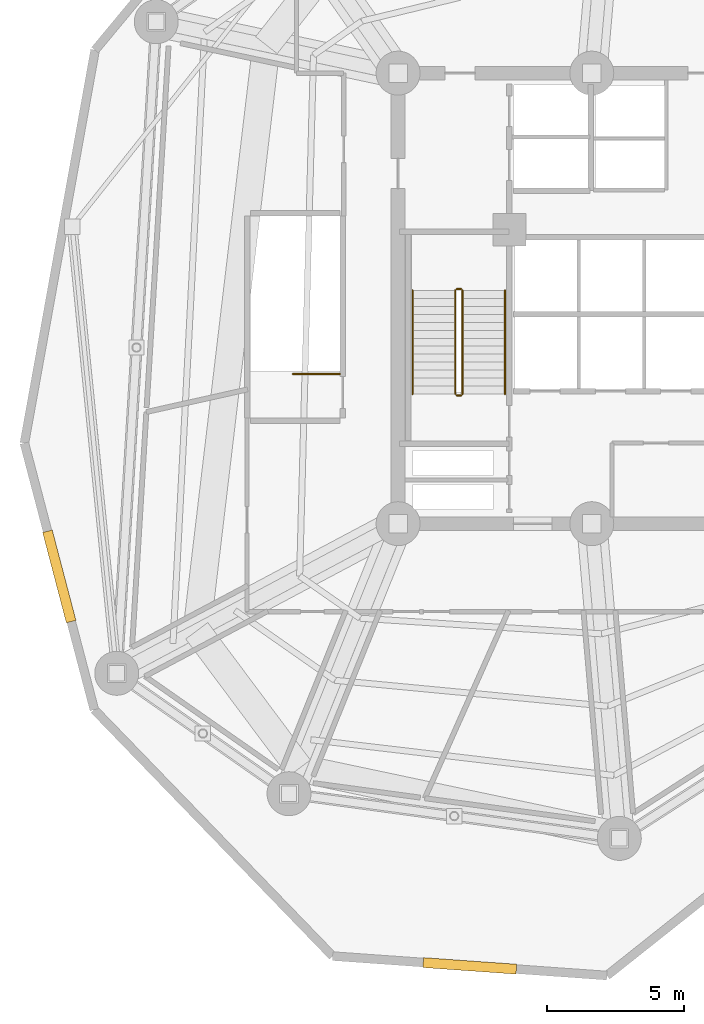
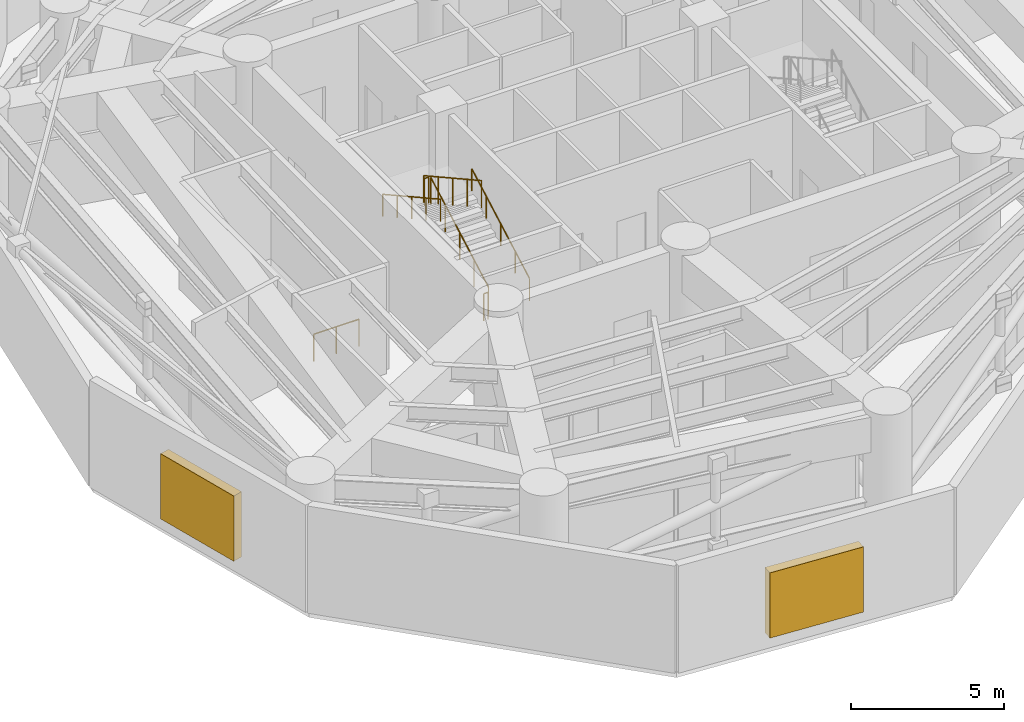
# One storey, part 11 of 13: 7 railings, 2 shading devices.
"""IFC4 building model written with IfcOpenShell, lengths in metres."""

from ifc_helpers import new_model, si_unit, direction, frame, origin, origin_with_axes, origin_2d, place, context, subcontext, project, spatial, rectangle, circle, extrude, source, transform, mapped, material, layer, layer_set, type_object, element, save


model = new_model("IFC4")

# Units and contexts
model_context = context("Model", 3, precision=1e-05, world=origin(), true_north=direction((0.0, 1.0)))
body_context = subcontext(model_context, "Body", "Model", "MODEL_VIEW")
ifc_project = project(units=[si_unit("LENGTHUNIT", "METRE"), si_unit("AREAUNIT", "SQUARE_METRE"), si_unit("VOLUMEUNIT", "CUBIC_METRE"), si_unit("PLANEANGLEUNIT", "RADIAN"), si_unit("MASSUNIT", "GRAM", prefix="KILO")], contexts=[model_context])

# Site, building, storey
site_placement = place(None, origin())
site = spatial("IfcSite", under=ifc_project, at=site_placement, CompositionType="ELEMENT")
building_placement = place(site_placement, origin())
building = spatial("IfcBuilding", under=site, at=building_placement, Name="Karkom Vertical University and Central Library", CompositionType="ELEMENT")
storey_placement = place(building_placement, frame((0.0, 0.0, 87.699951171875)))
storey = spatial("IfcBuildingStorey", under=building, at=storey_placement, Name="P23", CompositionType="ELEMENT", Elevation=87.699951171875)

# Railings
ifc_material_1 = material(Name="Painted galvanised steel balustrade", Category="steel")
ifc_layer_1 = layer(ifc_material_1, 0.06005859375)
ifc_layer_set_1 = layer_set([ifc_layer_1], Name="Painted galvanised steel balustrade")
railing_type_1 = type_object("IfcRailingType", Name="INT-RL-GUARD1100", PredefinedType="GUARDRAIL", material=ifc_layer_set_1)
railing_1_placement = place(storey_placement, frame((21.840087890625, 23.02001953125, 0.16064453125)))
element("IfcRailing", 1, at=railing_1_placement, inside=storey, type_object=railing_type_1, Name="Plant Level 23 ST-1 stair guard 1", PredefinedType="GUARDRAIL", context=body_context, shape_type="SweptSolid", body=[
    extrude(circle(Radius=0.02392578125, at=origin_2d()), frame((0.0, 0.0, 1.076171875), z_axis=(0.0, 0.874659101714, 0.484738543742), x_axis=(-1.0, 0.0, 0.0)), (0.0, 0.0, 1.0), 4.310302734375),
    extrude(circle(Radius=0.02099609375, at=origin_2d()), origin(), (0.0, 0.0, 1.0), 1.052001953125),
    extrude(circle(Radius=0.02099609375, at=origin_2d()), frame((0.0, 0.9423828125, 0.5224609375)), (0.0, 0.0, 1.0), 1.052001953125),
    extrude(circle(Radius=0.02099609375, at=origin_2d()), frame((0.0, 1.885009765625, 1.044677734375)), (0.0, 0.0, 1.0), 1.052001953125),
    extrude(circle(Radius=0.02099609375, at=origin_2d()), frame((0.0, 2.82763671875, 1.56689453125)), (0.0, 0.0, 1.0), 1.052001953125),
    extrude(circle(Radius=0.02099609375, at=origin_2d()), frame((0.0, 3.77001953125, 2.08935546875)), (0.0, 0.0, 1.0), 1.052001953125),
])
railing_2_placement = place(storey_placement, frame((21.7900390625, 26.840087890625, 2.25)))
element("IfcRailing", 2, at=railing_2_placement, inside=storey, type_object=railing_type_1, Name="Plant Level 23 ST-1 stair guard 2", PredefinedType="GUARDRAIL", context=body_context, shape_type="SweptSolid", body=[
    extrude(circle(Radius=0.02392578125, at=origin_2d()), frame((0.0, 0.0, 1.076171875), z_axis=(-1.0, 0.0, 0.0), x_axis=(0.0, -1.0, 0.0)), (0.0, 0.0, 1.0), 0.16015625),
    extrude(circle(Radius=0.02099609375, at=origin_2d()), origin(), (0.0, 0.0, 1.0), 1.052001953125),
    extrude(circle(Radius=0.02099609375, at=origin_2d()), frame((-0.16015625, 0.0, 0.0)), (0.0, 0.0, 1.0), 1.052001953125),
])
railing_3_placement = place(storey_placement, frame((21.580078125, 26.7900390625, 2.41064453125)))
element("IfcRailing", 3, at=railing_3_placement, inside=storey, type_object=railing_type_1, Name="Plant Level 23 ST-1 stair guard 3", PredefinedType="GUARDRAIL", context=body_context, shape_type="SweptSolid", body=[
    extrude(circle(Radius=0.02392578125, at=origin_2d()), frame((0.0, 0.0, 1.076171875), z_axis=(0.0, -0.874659101714, 0.484738543742), x_axis=(1.0, 0.0, 0.0)), (0.0, 0.0, 1.0), 4.310302734375),
    extrude(circle(Radius=0.02099609375, at=origin_2d()), origin(), (0.0, 0.0, 1.0), 1.052001953125),
    extrude(circle(Radius=0.02099609375, at=origin_2d()), frame((0.0, -0.9423828125, 0.5224609375)), (0.0, 0.0, 1.0), 1.052001953125),
    extrude(circle(Radius=0.02099609375, at=origin_2d()), frame((0.0, -1.885009765625, 1.044677734375)), (0.0, 0.0, 1.0), 1.052001953125),
    extrude(circle(Radius=0.02099609375, at=origin_2d()), frame((0.0, -2.82763671875, 1.56689453125)), (0.0, 0.0, 1.0), 1.052001953125),
    extrude(circle(Radius=0.02099609375, at=origin_2d()), frame((0.0, -3.77001953125, 2.08935546875)), (0.0, 0.0, 1.0), 1.052001953125),
])
railing_4_placement = place(storey_placement, frame((21.7900390625, 22.969970703125, 0.0)))
element("IfcRailing", 4, at=railing_4_placement, inside=storey, type_object=railing_type_1, Name="Plant Level 23 ST-1 stair guard 4", PredefinedType="GUARDRAIL", context=body_context, shape_type="SweptSolid", body=[
    extrude(circle(Radius=0.02392578125, at=origin_2d()), frame((0.0, 0.0, 1.076171875), z_axis=(-1.0, 0.0, 0.0), x_axis=(0.0, -1.0, 0.0)), (0.0, 0.0, 1.0), 0.16015625),
    extrude(circle(Radius=0.02099609375, at=origin_2d()), origin(), (0.0, 0.0, 1.0), 1.052001953125),
    extrude(circle(Radius=0.02099609375, at=origin_2d()), frame((-0.16015625, 0.0, 0.0)), (0.0, 0.0, 1.0), 1.052001953125),
])
railing_5_placement = place(storey_placement, frame((17.3798828125, 23.75, 0.0)))
element("IfcRailing", 5, at=railing_5_placement, inside=storey, type_object=railing_type_1, Name="Plant Level 23 ST-3 top well guard 1", PredefinedType="GUARDRAIL", context=body_context, shape_type="SweptSolid", body=[
    extrude(circle(Radius=0.02392578125, at=origin_2d()), frame((0.0, 0.0, 1.076171875), z_axis=(-1.0, 0.0, 0.0), x_axis=(0.0, -1.0, 0.0)), (0.0, 0.0, 1.0), 1.7099609375),
    extrude(circle(Radius=0.02099609375, at=origin_2d()), origin(), (0.0, 0.0, 1.0), 1.052001953125),
    extrude(circle(Radius=0.02099609375, at=origin_2d()), frame((-0.85498046875, 0.0, 0.0)), (0.0, 0.0, 1.0), 1.052001953125),
    extrude(circle(Radius=0.02099609375, at=origin_2d()), frame((-1.7099609375, 0.0, 0.0)), (0.0, 0.0, 1.0), 1.052001953125),
])
ifc_material_2 = material(Name="Brushed stainless-steel tubular handrail", Category="steel")
ifc_layer_2 = layer(ifc_material_2, 0.048095703125)
ifc_layer_set_2 = layer_set([ifc_layer_2], Name="Brushed stainless-steel tubular handrail")
railing_type_2 = type_object("IfcRailingType", Name="INT-RL-HAND920", PredefinedType="HANDRAIL", material=ifc_layer_set_2)
railing_6_placement = place(storey_placement, frame((23.389892578125, 23.02001953125, 0.16064453125)))
element("IfcRailing", 6, at=railing_6_placement, inside=storey, type_object=railing_type_2, Name="Plant Level 23 ST-1 stair handrail 1", PredefinedType="HANDRAIL", context=body_context, shape_type="SweptSolid", body=[
    extrude(circle(Radius=0.02392578125, at=origin_2d()), frame((0.0, 0.0, 0.8759765625), z_axis=(0.0, 0.874659101714, 0.484738543742), x_axis=(-1.0, 0.0, 0.0)), (0.0, 0.0, 1.0), 4.310302734375),
    extrude(circle(Radius=0.02099609375, at=origin_2d()), origin(), (0.0, 0.0, 1.0), 0.851806640625),
    extrude(circle(Radius=0.02099609375, at=origin_2d()), frame((0.0, 0.9423828125, 0.5224609375)), (0.0, 0.0, 1.0), 0.851806640625),
    extrude(circle(Radius=0.02099609375, at=origin_2d()), frame((0.0, 1.885009765625, 1.044677734375)), (0.0, 0.0, 1.0), 0.851806640625),
    extrude(circle(Radius=0.02099609375, at=origin_2d()), frame((0.0, 2.82763671875, 1.56689453125)), (0.0, 0.0, 1.0), 0.851806640625),
    extrude(circle(Radius=0.02099609375, at=origin_2d()), frame((0.0, 3.77001953125, 2.08935546875)), (0.0, 0.0, 1.0), 0.851806640625),
])
railing_7_placement = place(storey_placement, frame((20.030029296875, 26.7900390625, 2.41064453125)))
element("IfcRailing", 7, at=railing_7_placement, inside=storey, type_object=railing_type_2, Name="Plant Level 23 ST-1 stair handrail 2", PredefinedType="HANDRAIL", context=body_context, shape_type="SweptSolid", body=[
    extrude(circle(Radius=0.02392578125, at=origin_2d()), frame((0.0, 0.0, 0.8759765625), z_axis=(0.0, -0.874659101714, 0.484738543742), x_axis=(1.0, 0.0, 0.0)), (0.0, 0.0, 1.0), 4.310302734375),
    extrude(circle(Radius=0.02099609375, at=origin_2d()), origin(), (0.0, 0.0, 1.0), 0.851806640625),
    extrude(circle(Radius=0.02099609375, at=origin_2d()), frame((0.0, -0.9423828125, 0.5224609375)), (0.0, 0.0, 1.0), 0.851806640625),
    extrude(circle(Radius=0.02099609375, at=origin_2d()), frame((0.0, -1.885009765625, 1.044677734375)), (0.0, 0.0, 1.0), 0.851806640625),
    extrude(circle(Radius=0.02099609375, at=origin_2d()), frame((0.0, -2.82763671875, 1.56689453125)), (0.0, 0.0, 1.0), 0.851806640625),
    extrude(circle(Radius=0.02099609375, at=origin_2d()), frame((0.0, -3.77001953125, 2.08935546875)), (0.0, 0.0, 1.0), 0.851806640625),
])

# Shading devices
ifc_material_3 = material(Name="Powder-coated aluminium acoustic weather louvre", Category="aluminium")
ifc_layer_3 = layer(ifc_material_3, 0.159912109375)
ifc_layer_set_3 = layer_set([ifc_layer_3], Name="Powder-coated aluminium acoustic weather louvre")
shading_device_type = type_object("IfcShadingDeviceType", Name="ENV-SHD-LOUVRE", PredefinedType="JALOUSIE", material=ifc_layer_set_3)
shared_shape = source(origin_with_axes(), body_context, "Body", "SweptSolid", [
    extrude(rectangle(XDim=3.39990234375, YDim=0.360107421875, at=origin_2d()), origin(), (0.0, 0.0, 1.0), 2.60009765625),
])
for number, where, z_axis, x_axis, name in (
    (8, (7.166748046875, 16.38134765625, 0.39990234375), (0.0, 0.0, 1.0), (0.25358912065, -0.96731202716, 0.0), "Plant Level 23 Mechanical Acoustic Louvre 03"),
    (9, (22.109619140625, 2.20361328125, 0.39990234375), (0.0, 0.0, 1.0), (0.997502796416, -0.070626985931, 0.0), "Plant Level 23 Mechanical Acoustic Louvre 05"),
):
    element("IfcShadingDevice", number, at=place(storey_placement, frame(where, z_axis=z_axis, x_axis=x_axis)), inside=storey, type_object=shading_device_type, Name=name, PredefinedType="JALOUSIE", context=body_context, shape_type="MappedRepresentation", body=[
        mapped(shared_shape, transform((0.0, 0.0, 0.0), scale=1.0)),
    ])

save(model, "model.ifc")
